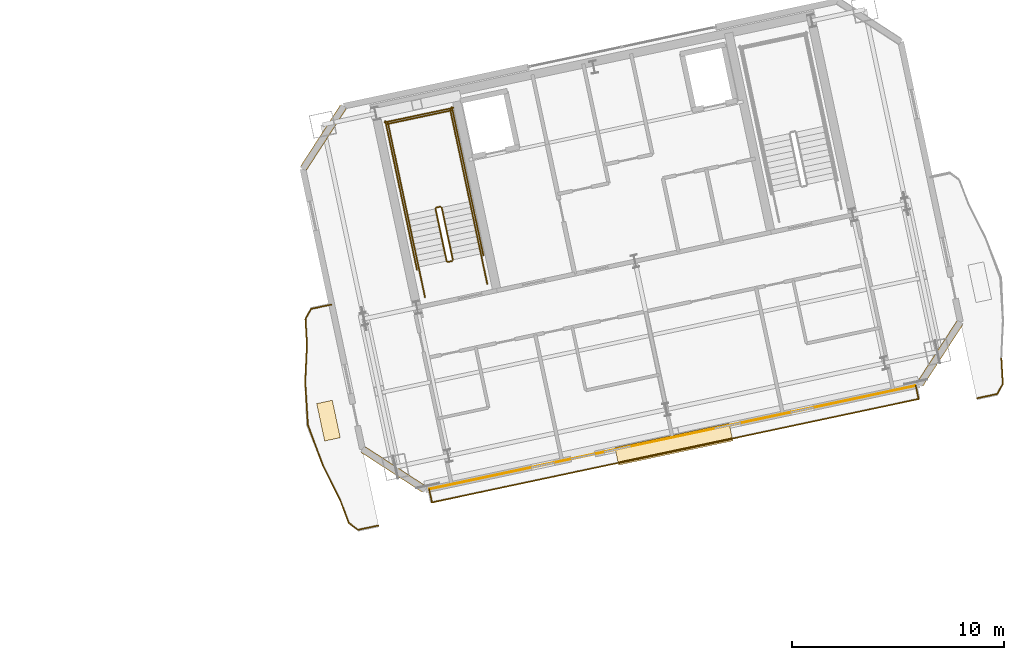
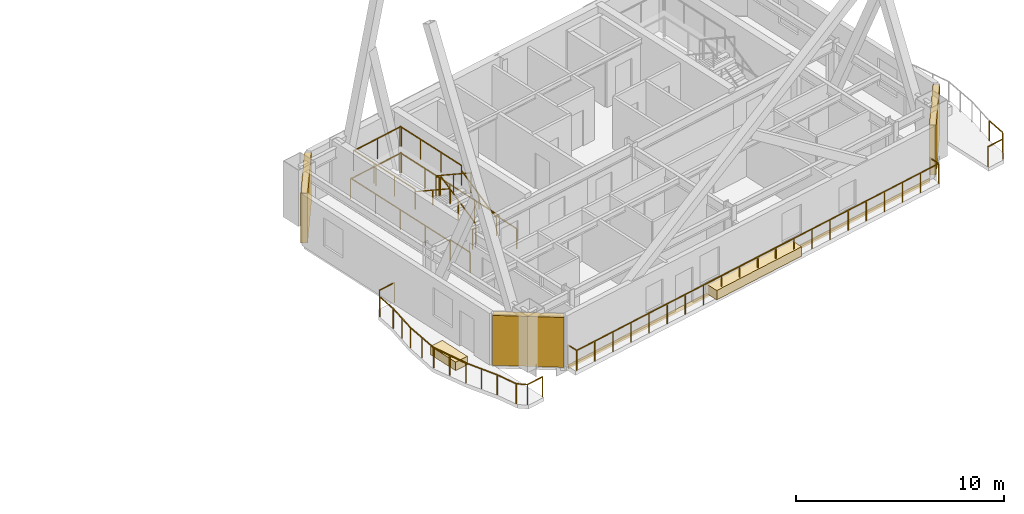
# One storey, part 18 of 19: 30 railings, 3 coverings, 3 shading devices.
"""IFC4 building model written with IfcOpenShell, lengths in metres."""

from ifc_helpers import new_model, si_unit, direction, frame, origin, origin_2d, place, context, subcontext, project, spatial, rectangle, extrude, material, layer, layer_set, type_object, element, save


model = new_model("IFC4")

# Units and contexts
model_context = context("Model", 3, precision=1e-05, world=origin(), true_north=direction((0.0, 1.0)))
body_context = subcontext(model_context, "Body", "Model", "MODEL_VIEW")
ifc_project = project(units=[si_unit("LENGTHUNIT", "METRE"), si_unit("AREAUNIT", "SQUARE_METRE"), si_unit("VOLUMEUNIT", "CUBIC_METRE"), si_unit("PLANEANGLEUNIT", "RADIAN"), si_unit("MASSUNIT", "GRAM", prefix="KILO")], contexts=[model_context])

# Site, building, storey
site_placement = place(None, origin())
site = spatial("IfcSite", under=ifc_project, at=site_placement, CompositionType="ELEMENT")
building_placement = place(site_placement, origin())
building = spatial("IfcBuilding", under=site, at=building_placement, Name="Haevon Station Towers", CompositionType="ELEMENT")
storey_placement = place(building_placement, frame((0.0, 0.0, 218.699951171875)))
storey = spatial("IfcBuildingStorey", under=building, at=storey_placement, Name="L60", CompositionType="ELEMENT", Elevation=218.699951171875)

# Covering
ifc_material_1 = material(Name="Anodised aluminium 6063-T6", Category="aluminium")
ifc_layer_1 = layer(ifc_material_1, 0.0400390625)
ifc_layer_set_1 = layer_set([ifc_layer_1], Name="Anodised aluminium 6063-T6")
covering_type_1 = type_object("IfcCoveringType", Name="COV-CLAD40", PredefinedType="CLADDING", material=ifc_layer_set_1)
covering_1_placement = place(storey_placement, frame((110.7880859375, 31.321044921875, -0.23974609375), z_axis=(0.0, 0.0, 1.0), x_axis=(0.978147600734, 0.207911690818, 0.0)))
element("IfcCovering", 1, at=covering_1_placement, inside=storey, type_object=covering_type_1, Name="Tower 2 L60 Spandrel Fascia Cladding", PredefinedType="CLADDING", context=body_context, shape_type="SweptSolid", body=[
    extrude(rectangle(XDim=23.39990234375, YDim=0.0400390625, at=origin_2d()), origin(), (0.0, 0.0, 1.0), 0.239990234375),
])

# Railings
ifc_material_2 = material(Name="Steel S355", Category="steel")
railing_type_1 = type_object("IfcRailingType", Name="GRD-EXT1200", PredefinedType="GUARDRAIL", material=ifc_material_2)
railing_1_placement = place(storey_placement, frame((99.456787109375, 28.26025390625, 0.0)))
element("IfcRailing", 2, at=railing_1_placement, inside=storey, type_object=railing_type_1, Name="L60 Perimeter Guardrail 1", PredefinedType="GUARDRAIL", context=body_context, shape_type="SweptSolid", body=[
    extrude(rectangle(XDim=0.048095703125, YDim=0.048095703125, at=origin_2d()), frame((0.0, 0.0, 1.17578125), z_axis=(0.978146778484, 0.207915559163, 0.0), x_axis=(-0.207915559163, 0.978146778484, 0.0)), (0.0, 0.0, 1.0), 23.43994140625),
    extrude(rectangle(XDim=0.0419921875, YDim=0.0419921875, at=origin_2d()), origin(), (0.0, 0.0, 1.0), 1.15185546875),
    extrude(rectangle(XDim=0.0419921875, YDim=0.0419921875, at=origin_2d()), frame((1.146484375, 0.24365234375, 0.0)), (0.0, 0.0, 1.0), 1.15185546875),
    extrude(rectangle(XDim=0.0419921875, YDim=0.0419921875, at=origin_2d()), frame((2.292724609375, 0.4873046875, 0.0)), (0.0, 0.0, 1.0), 1.15185546875),
    extrude(rectangle(XDim=0.0419921875, YDim=0.0419921875, at=origin_2d()), frame((3.439208984375, 0.73095703125, 0.0)), (0.0, 0.0, 1.0), 1.15185546875),
    extrude(rectangle(XDim=0.0419921875, YDim=0.0419921875, at=origin_2d()), frame((4.58544921875, 0.974609375, 0.0)), (0.0, 0.0, 1.0), 1.15185546875),
    extrude(rectangle(XDim=0.0419921875, YDim=0.0419921875, at=origin_2d()), frame((5.73193359375, 1.21826171875, 0.0)), (0.0, 0.0, 1.0), 1.15185546875),
    extrude(rectangle(XDim=0.0419921875, YDim=0.0419921875, at=origin_2d()), frame((6.87841796875, 1.462158203125, 0.0)), (0.0, 0.0, 1.0), 1.15185546875),
    extrude(rectangle(XDim=0.0419921875, YDim=0.0419921875, at=origin_2d()), frame((8.024658203125, 1.705810546875, 0.0)), (0.0, 0.0, 1.0), 1.15185546875),
    extrude(rectangle(XDim=0.0419921875, YDim=0.0419921875, at=origin_2d()), frame((9.171142578125, 1.949462890625, 0.0)), (0.0, 0.0, 1.0), 1.15185546875),
    extrude(rectangle(XDim=0.0419921875, YDim=0.0419921875, at=origin_2d()), frame((10.3173828125, 2.193115234375, 0.0)), (0.0, 0.0, 1.0), 1.15185546875),
    extrude(rectangle(XDim=0.0419921875, YDim=0.0419921875, at=origin_2d()), frame((11.4638671875, 2.436767578125, 0.0)), (0.0, 0.0, 1.0), 1.15185546875),
    extrude(rectangle(XDim=0.0419921875, YDim=0.0419921875, at=origin_2d()), frame((12.6103515625, 2.680419921875, 0.0)), (0.0, 0.0, 1.0), 1.15185546875),
    extrude(rectangle(XDim=0.0419921875, YDim=0.0419921875, at=origin_2d()), frame((13.756591796875, 2.924072265625, 0.0)), (0.0, 0.0, 1.0), 1.15185546875),
    extrude(rectangle(XDim=0.0419921875, YDim=0.0419921875, at=origin_2d()), frame((14.903076171875, 3.167724609375, 0.0)), (0.0, 0.0, 1.0), 1.15185546875),
    extrude(rectangle(XDim=0.0419921875, YDim=0.0419921875, at=origin_2d()), frame((16.04931640625, 3.411376953125, 0.0)), (0.0, 0.0, 1.0), 1.15185546875),
    extrude(rectangle(XDim=0.0419921875, YDim=0.0419921875, at=origin_2d()), frame((17.19580078125, 3.6552734375, 0.0)), (0.0, 0.0, 1.0), 1.15185546875),
    extrude(rectangle(XDim=0.0419921875, YDim=0.0419921875, at=origin_2d()), frame((18.34228515625, 3.89892578125, 0.0)), (0.0, 0.0, 1.0), 1.15185546875),
    extrude(rectangle(XDim=0.0419921875, YDim=0.0419921875, at=origin_2d()), frame((19.488525390625, 4.142578125, 0.0)), (0.0, 0.0, 1.0), 1.15185546875),
    extrude(rectangle(XDim=0.0419921875, YDim=0.0419921875, at=origin_2d()), frame((20.635009765625, 4.38623046875, 0.0)), (0.0, 0.0, 1.0), 1.15185546875),
    extrude(rectangle(XDim=0.0419921875, YDim=0.0419921875, at=origin_2d()), frame((21.78125, 4.6298828125, 0.0)), (0.0, 0.0, 1.0), 1.15185546875),
    extrude(rectangle(XDim=0.0419921875, YDim=0.0419921875, at=origin_2d()), frame((22.927734375, 4.87353515625, 0.0)), (0.0, 0.0, 1.0), 1.15185546875),
])
railing_2_placement = place(storey_placement, frame((122.384521484375, 33.1337890625, 0.0)))
element("IfcRailing", 3, at=railing_2_placement, inside=storey, type_object=railing_type_1, Name="L60 Perimeter Guardrail 2", PredefinedType="GUARDRAIL", context=body_context, shape_type="SweptSolid", body=[
    extrude(rectangle(XDim=0.048095703125, YDim=0.048095703125, at=origin_2d()), frame((0.0, 0.0, 1.17578125), z_axis=(-0.207863385301, 0.978157867142, 0.0), x_axis=(-0.978157867142, -0.207863385301, 0.0)), (0.0, 0.0, 1.0), 0.630615234375),
    extrude(rectangle(XDim=0.0419921875, YDim=0.0419921875, at=origin_2d()), origin(), (0.0, 0.0, 1.0), 1.15185546875),
    extrude(rectangle(XDim=0.0419921875, YDim=0.0419921875, at=origin_2d()), frame((-0.131103515625, 0.616943359375, 0.0)), (0.0, 0.0, 1.0), 1.15185546875),
])
railing_3_placement = place(storey_placement, frame((99.32568359375, 28.877197265625, 0.0)))
element("IfcRailing", 4, at=railing_3_placement, inside=storey, type_object=railing_type_1, Name="L60 Perimeter Guardrail 3", PredefinedType="GUARDRAIL", context=body_context, shape_type="SweptSolid", body=[
    extrude(rectangle(XDim=0.048095703125, YDim=0.048095703125, at=origin_2d()), frame((0.0, 0.0, 1.17578125), z_axis=(0.207863385301, -0.978157867142, 0.0), x_axis=(0.978157867142, 0.207863385301, 0.0)), (0.0, 0.0, 1.0), 0.630615234375),
    extrude(rectangle(XDim=0.0419921875, YDim=0.0419921875, at=origin_2d()), origin(), (0.0, 0.0, 1.0), 1.15185546875),
    extrude(rectangle(XDim=0.0419921875, YDim=0.0419921875, at=origin_2d()), frame((0.131103515625, -0.616943359375, 0.0)), (0.0, 0.0, 1.0), 1.15185546875),
])
railing_4_placement = place(storey_placement, frame((94.71142578125, 37.58251953125, 0.0)))
element("IfcRailing", 5, at=railing_4_placement, inside=storey, type_object=railing_type_1, Name="L60 Perimeter Guardrail 1", PredefinedType="GUARDRAIL", context=body_context, shape_type="SweptSolid", body=[
    extrude(rectangle(XDim=0.048095703125, YDim=0.048095703125, at=origin_2d()), frame((0.0, 0.0, 1.17578125), z_axis=(-0.977706975704, -0.209973973767, 0.0), x_axis=(0.209973973767, -0.977706975704, 0.0)), (0.0, 0.0, 1.0), 0.974365234375),
    extrude(rectangle(XDim=0.0419921875, YDim=0.0419921875, at=origin_2d()), origin(), (0.0, 0.0, 1.0), 1.15185546875),
    extrude(rectangle(XDim=0.0419921875, YDim=0.0419921875, at=origin_2d()), frame((-0.95263671875, -0.20458984375, 0.0)), (0.0, 0.0, 1.0), 1.15185546875),
])
railing_5_placement = place(storey_placement, frame((93.7587890625, 37.3779296875, 0.0)))
element("IfcRailing", 6, at=railing_5_placement, inside=storey, type_object=railing_type_1, Name="L60 Perimeter Guardrail 2", PredefinedType="GUARDRAIL", context=body_context, shape_type="SweptSolid", body=[
    extrude(rectangle(XDim=0.048095703125, YDim=0.048095703125, at=origin_2d()), frame((0.0, 0.0, 1.17578125), z_axis=(-0.480899548863, -0.876775697601, 0.0), x_axis=(0.876775697601, -0.480899548863, 0.0)), (0.0, 0.0, 1.0), 0.542724609375),
    extrude(rectangle(XDim=0.0419921875, YDim=0.0419921875, at=origin_2d()), origin(), (0.0, 0.0, 1.0), 1.15185546875),
    extrude(rectangle(XDim=0.0419921875, YDim=0.0419921875, at=origin_2d()), frame((-0.260986328125, -0.475830078125, 0.0)), (0.0, 0.0, 1.0), 1.15185546875),
])
railing_6_placement = place(storey_placement, frame((93.497802734375, 36.902099609375, 0.0)))
element("IfcRailing", 7, at=railing_6_placement, inside=storey, type_object=railing_type_1, Name="L60 Perimeter Guardrail 3", PredefinedType="GUARDRAIL", context=body_context, shape_type="SweptSolid", body=[
    extrude(rectangle(XDim=0.048095703125, YDim=0.048095703125, at=origin_2d()), frame((0.0, 0.0, 1.17578125), z_axis=(0.056486171086, -0.998403381643, 0.0), x_axis=(0.998403381643, 0.056486171086, 0.0)), (0.0, 0.0, 1.0), 1.184326171875),
    extrude(rectangle(XDim=0.0419921875, YDim=0.0419921875, at=origin_2d()), origin(), (0.0, 0.0, 1.0), 1.15185546875),
    extrude(rectangle(XDim=0.0419921875, YDim=0.0419921875, at=origin_2d()), frame((0.06689453125, -1.182373046875, 0.0)), (0.0, 0.0, 1.0), 1.15185546875),
])
railing_7_placement = place(storey_placement, frame((93.564697265625, 35.7197265625, 0.0)))
element("IfcRailing", 8, at=railing_7_placement, inside=storey, type_object=railing_type_1, Name="L60 Perimeter Guardrail 4", PredefinedType="GUARDRAIL", context=body_context, shape_type="SweptSolid", body=[
    extrude(rectangle(XDim=0.048095703125, YDim=0.048095703125, at=origin_2d()), frame((0.0, 0.0, 1.17578125), z_axis=(-0.044352629621, -0.999015937934, 0.0), x_axis=(0.999015937934, -0.044352629621, 0.0)), (0.0, 0.0, 1.0), 1.805419921875),
    extrude(rectangle(XDim=0.0419921875, YDim=0.0419921875, at=origin_2d()), origin(), (0.0, 0.0, 1.0), 1.15185546875),
    extrude(rectangle(XDim=0.0419921875, YDim=0.0419921875, at=origin_2d()), frame((-0.0400390625, -0.90185546875, 0.0)), (0.0, 0.0, 1.0), 1.15185546875),
    extrude(rectangle(XDim=0.0419921875, YDim=0.0419921875, at=origin_2d()), frame((-0.080078125, -1.8037109375, 0.0)), (0.0, 0.0, 1.0), 1.15185546875),
])
railing_8_placement = place(storey_placement, frame((93.484619140625, 33.916015625, 0.0)))
element("IfcRailing", 9, at=railing_8_placement, inside=storey, type_object=railing_type_1, Name="L60 Perimeter Guardrail 5", PredefinedType="GUARDRAIL", context=body_context, shape_type="SweptSolid", body=[
    extrude(rectangle(XDim=0.048095703125, YDim=0.048095703125, at=origin_2d()), frame((0.0, 0.0, 1.17578125), z_axis=(0.063329948966, -0.997992644043, 0.0), x_axis=(0.997992644043, 0.063329948966, 0.0)), (0.0, 0.0, 1.0), 2.012451171875),
    extrude(rectangle(XDim=0.0419921875, YDim=0.0419921875, at=origin_2d()), origin(), (0.0, 0.0, 1.0), 1.15185546875),
    extrude(rectangle(XDim=0.0419921875, YDim=0.0419921875, at=origin_2d()), frame((0.063720703125, -1.004150390625, 0.0)), (0.0, 0.0, 1.0), 1.15185546875),
    extrude(rectangle(XDim=0.0419921875, YDim=0.0419921875, at=origin_2d()), frame((0.12744140625, -2.00830078125, 0.0)), (0.0, 0.0, 1.0), 1.15185546875),
])
railing_9_placement = place(storey_placement, frame((93.612060546875, 31.90771484375, 0.0)))
element("IfcRailing", 10, at=railing_9_placement, inside=storey, type_object=railing_type_1, Name="L60 Perimeter Guardrail 6", PredefinedType="GUARDRAIL", context=body_context, shape_type="SweptSolid", body=[
    extrude(rectangle(XDim=0.048095703125, YDim=0.048095703125, at=origin_2d()), frame((0.0, 0.0, 1.17578125), z_axis=(0.348076866175, -0.937465996841, 0.0), x_axis=(0.937465996841, 0.348076866175, 0.0)), (0.0, 0.0, 1.0), 2.01220703125),
    extrude(rectangle(XDim=0.0419921875, YDim=0.0419921875, at=origin_2d()), origin(), (0.0, 0.0, 1.0), 1.15185546875),
    extrude(rectangle(XDim=0.0419921875, YDim=0.0419921875, at=origin_2d()), frame((0.35009765625, -0.943359375, 0.0)), (0.0, 0.0, 1.0), 1.15185546875),
    extrude(rectangle(XDim=0.0419921875, YDim=0.0419921875, at=origin_2d()), frame((0.700439453125, -1.886474609375, 0.0)), (0.0, 0.0, 1.0), 1.15185546875),
])
railing_10_placement = place(storey_placement, frame((94.3125, 30.021240234375, 0.0)))
element("IfcRailing", 11, at=railing_10_placement, inside=storey, type_object=railing_type_1, Name="L60 Perimeter Guardrail 7", PredefinedType="GUARDRAIL", context=body_context, shape_type="SweptSolid", body=[
    extrude(rectangle(XDim=0.048095703125, YDim=0.048095703125, at=origin_2d()), frame((0.0, 0.0, 1.17578125), z_axis=(0.446889047543, -0.894589391389, 0.0), x_axis=(0.894589391389, 0.446889047543, 0.0)), (0.0, 0.0, 1.0), 1.8056640625),
    extrude(rectangle(XDim=0.0419921875, YDim=0.0419921875, at=origin_2d()), origin(), (0.0, 0.0, 1.0), 1.15185546875),
    extrude(rectangle(XDim=0.0419921875, YDim=0.0419921875, at=origin_2d()), frame((0.4033203125, -0.8076171875, 0.0)), (0.0, 0.0, 1.0), 1.15185546875),
    extrude(rectangle(XDim=0.0419921875, YDim=0.0419921875, at=origin_2d()), frame((0.806884765625, -1.615234375, 0.0)), (0.0, 0.0, 1.0), 1.15185546875),
])
railing_11_placement = place(storey_placement, frame((95.119384765625, 28.406005859375, 0.0)))
element("IfcRailing", 12, at=railing_11_placement, inside=storey, type_object=railing_type_1, Name="L60 Perimeter Guardrail 8", PredefinedType="GUARDRAIL", context=body_context, shape_type="SweptSolid", body=[
    extrude(rectangle(XDim=0.048095703125, YDim=0.048095703125, at=origin_2d()), frame((0.0, 0.0, 1.17578125), z_axis=(0.354442889669, -0.935077664135, 0.0), x_axis=(0.935077664135, 0.354442889669, 0.0)), (0.0, 0.0, 1.0), 1.18408203125),
    extrude(rectangle(XDim=0.0419921875, YDim=0.0419921875, at=origin_2d()), origin(), (0.0, 0.0, 1.0), 1.15185546875),
    extrude(rectangle(XDim=0.0419921875, YDim=0.0419921875, at=origin_2d()), frame((0.419677734375, -1.107177734375, 0.0)), (0.0, 0.0, 1.0), 1.15185546875),
])
railing_12_placement = place(storey_placement, frame((95.5390625, 27.298828125, 0.0)))
element("IfcRailing", 13, at=railing_12_placement, inside=storey, type_object=railing_type_1, Name="L60 Perimeter Guardrail 9", PredefinedType="GUARDRAIL", context=body_context, shape_type="SweptSolid", body=[
    extrude(rectangle(XDim=0.048095703125, YDim=0.048095703125, at=origin_2d()), frame((0.0, 0.0, 1.17578125), z_axis=(0.795823981278, -0.605528026456, 0.0), x_axis=(0.605528026456, 0.795823981278, 0.0)), (0.0, 0.0, 1.0), 0.542724609375),
    extrude(rectangle(XDim=0.0419921875, YDim=0.0419921875, at=origin_2d()), origin(), (0.0, 0.0, 1.0), 1.15185546875),
    extrude(rectangle(XDim=0.0419921875, YDim=0.0419921875, at=origin_2d()), frame((0.431884765625, -0.32861328125, 0.0)), (0.0, 0.0, 1.0), 1.15185546875),
])
railing_13_placement = place(storey_placement, frame((95.970947265625, 26.97021484375, 0.0)))
element("IfcRailing", 14, at=railing_13_placement, inside=storey, type_object=railing_type_1, Name="L60 Perimeter Guardrail 10", PredefinedType="GUARDRAIL", context=body_context, shape_type="SweptSolid", body=[
    extrude(rectangle(XDim=0.048095703125, YDim=0.048095703125, at=origin_2d()), frame((0.0, 0.0, 1.17578125), z_axis=(0.978616190776, 0.20569480098, 0.0), x_axis=(-0.20569480098, 0.978616190776, 0.0)), (0.0, 0.0, 1.0), 0.974365234375),
    extrude(rectangle(XDim=0.0419921875, YDim=0.0419921875, at=origin_2d()), origin(), (0.0, 0.0, 1.0), 1.15185546875),
    extrude(rectangle(XDim=0.0419921875, YDim=0.0419921875, at=origin_2d()), frame((0.95361328125, 0.200439453125, 0.0)), (0.0, 0.0, 1.0), 1.15185546875),
])
railing_14_placement = place(storey_placement, frame((125.14111328125, 33.16845703125, 0.0)))
element("IfcRailing", 15, at=railing_14_placement, inside=storey, type_object=railing_type_1, Name="L60 Perimeter Guardrail 1", PredefinedType="GUARDRAIL", context=body_context, shape_type="SweptSolid", body=[
    extrude(rectangle(XDim=0.048095703125, YDim=0.048095703125, at=origin_2d()), frame((0.0, 0.0, 1.17578125), z_axis=(0.977706975704, 0.209973973767, 0.0), x_axis=(-0.209973973767, 0.977706975704, 0.0)), (0.0, 0.0, 1.0), 0.974365234375),
    extrude(rectangle(XDim=0.0419921875, YDim=0.0419921875, at=origin_2d()), origin(), (0.0, 0.0, 1.0), 1.15185546875),
    extrude(rectangle(XDim=0.0419921875, YDim=0.0419921875, at=origin_2d()), frame((0.95263671875, 0.20458984375, 0.0)), (0.0, 0.0, 1.0), 1.15185546875),
])
railing_15_placement = place(storey_placement, frame((126.09375, 33.373046875, 0.0)))
element("IfcRailing", 16, at=railing_15_placement, inside=storey, type_object=railing_type_1, Name="L60 Perimeter Guardrail 2", PredefinedType="GUARDRAIL", context=body_context, shape_type="SweptSolid", body=[
    extrude(rectangle(XDim=0.048095703125, YDim=0.048095703125, at=origin_2d()), frame((0.0, 0.0, 1.17578125), z_axis=(0.480899548863, 0.876775697601, 0.0), x_axis=(-0.876775697601, 0.480899548863, 0.0)), (0.0, 0.0, 1.0), 0.542724609375),
    extrude(rectangle(XDim=0.0419921875, YDim=0.0419921875, at=origin_2d()), origin(), (0.0, 0.0, 1.0), 1.15185546875),
    extrude(rectangle(XDim=0.0419921875, YDim=0.0419921875, at=origin_2d()), frame((0.260986328125, 0.475830078125, 0.0)), (0.0, 0.0, 1.0), 1.15185546875),
])
railing_16_placement = place(storey_placement, frame((126.354736328125, 33.848876953125, 0.0)))
element("IfcRailing", 17, at=railing_16_placement, inside=storey, type_object=railing_type_1, Name="L60 Perimeter Guardrail 3", PredefinedType="GUARDRAIL", context=body_context, shape_type="SweptSolid", body=[
    extrude(rectangle(XDim=0.048095703125, YDim=0.048095703125, at=origin_2d()), frame((0.0, 0.0, 1.17578125), z_axis=(-0.056497799728, 0.998402723667, 0.0), x_axis=(-0.998402723667, -0.056497799728, 0.0)), (0.0, 0.0, 1.0), 1.18408203125),
    extrude(rectangle(XDim=0.0419921875, YDim=0.0419921875, at=origin_2d()), origin(), (0.0, 0.0, 1.0), 1.15185546875),
    extrude(rectangle(XDim=0.0419921875, YDim=0.0419921875, at=origin_2d()), frame((-0.06689453125, 1.18212890625, 0.0)), (0.0, 0.0, 1.0), 1.15185546875),
])
railing_type_2 = type_object("IfcRailingType", Name="GRD-STR1200", PredefinedType="GUARDRAIL", material=ifc_material_2)
railing_17_placement = place(storey_placement, frame((100.44140625, 39.69287109375, 0.1650390625)))
element("IfcRailing", 18, at=railing_17_placement, inside=storey, type_object=railing_type_2, Name="L60 ST3 Stair Guard 1", PredefinedType="GUARDRAIL", context=body_context, shape_type="SweptSolid", body=[
    extrude(rectangle(XDim=0.048095703125, YDim=0.048095703125, at=origin_2d()), frame((0.0, 0.0, 1.17578125), z_axis=(-0.179121265225, 0.842687928106, 0.507732831485), x_axis=(-0.978147030254, -0.207914374695, 0.0)), (0.0, 0.0, 1.0), 2.925048828125),
    extrude(rectangle(XDim=0.0419921875, YDim=0.0419921875, at=origin_2d()), origin(), (0.0, 0.0, 1.0), 1.15185546875),
    extrude(rectangle(XDim=0.0419921875, YDim=0.0419921875, at=origin_2d()), frame((-0.261962890625, 1.232421875, 0.74267578125)), (0.0, 0.0, 1.0), 1.15185546875),
    extrude(rectangle(XDim=0.0419921875, YDim=0.0419921875, at=origin_2d()), frame((-0.52392578125, 2.46484375, 1.485107421875)), (0.0, 0.0, 1.0), 1.15185546875),
])
railing_18_placement = place(storey_placement, frame((99.858154296875, 42.1962890625, 1.650146484375)))
element("IfcRailing", 19, at=railing_18_placement, inside=storey, type_object=railing_type_2, Name="L60 ST3 Stair Guard 2", PredefinedType="GUARDRAIL", context=body_context, shape_type="SweptSolid", body=[
    extrude(rectangle(XDim=0.048095703125, YDim=0.048095703125, at=origin_2d()), frame((0.0, 0.0, 1.17578125), z_axis=(-0.977962931203, -0.208778603291, 0.0), x_axis=(0.208778603291, -0.977962931203, 0.0)), (0.0, 0.0, 1.0), 0.199951171875),
    extrude(rectangle(XDim=0.0419921875, YDim=0.0419921875, at=origin_2d()), origin(), (0.0, 0.0, 1.0), 1.15185546875),
    extrude(rectangle(XDim=0.0419921875, YDim=0.0419921875, at=origin_2d()), frame((-0.195556640625, -0.041748046875, 0.0)), (0.0, 0.0, 1.0), 1.15185546875),
])
railing_19_placement = place(storey_placement, frame((101.238037109375, 42.4384765625, 1.650146484375)))
element("IfcRailing", 20, at=railing_19_placement, inside=storey, type_object=railing_type_2, Name="L60 ST3 Stair Guard 3", PredefinedType="GUARDRAIL", context=body_context, shape_type="SweptSolid", body=[
    extrude(rectangle(XDim=0.048095703125, YDim=0.048095703125, at=origin_2d()), frame((0.0, 0.0, 1.17578125), z_axis=(-0.20794048909, 0.978141479029, 0.0), x_axis=(-0.978141479029, -0.20794048909, 0.0)), (0.0, 0.0, 1.0), 4.429931640625),
    extrude(rectangle(XDim=0.0419921875, YDim=0.0419921875, at=origin_2d()), origin(), (0.0, 0.0, 1.0), 1.15185546875),
    extrude(rectangle(XDim=0.0419921875, YDim=0.0419921875, at=origin_2d()), frame((-0.30712890625, 1.4443359375, 0.0)), (0.0, 0.0, 1.0), 1.15185546875),
    extrude(rectangle(XDim=0.0419921875, YDim=0.0419921875, at=origin_2d()), frame((-0.614013671875, 2.888671875, 0.0)), (0.0, 0.0, 1.0), 1.15185546875),
    extrude(rectangle(XDim=0.0419921875, YDim=0.0419921875, at=origin_2d()), frame((-0.921142578125, 4.3330078125, 0.0)), (0.0, 0.0, 1.0), 1.15185546875),
])
railing_20_placement = place(storey_placement, frame((98.303466796875, 41.814697265625, 1.650146484375)))
element("IfcRailing", 21, at=railing_20_placement, inside=storey, type_object=railing_type_2, Name="L60 ST3 Stair Guard 4", PredefinedType="GUARDRAIL", context=body_context, shape_type="SweptSolid", body=[
    extrude(rectangle(XDim=0.048095703125, YDim=0.048095703125, at=origin_2d()), frame((0.0, 0.0, 1.17578125), z_axis=(-0.207876551949, 0.978155069071, 0.0), x_axis=(-0.978155069071, -0.207876551949, 0.0)), (0.0, 0.0, 1.0), 4.429931640625),
    extrude(rectangle(XDim=0.0419921875, YDim=0.0419921875, at=origin_2d()), origin(), (0.0, 0.0, 1.0), 1.15185546875),
    extrude(rectangle(XDim=0.0419921875, YDim=0.0419921875, at=origin_2d()), frame((-0.306884765625, 1.4443359375, 0.0)), (0.0, 0.0, 1.0), 1.15185546875),
    extrude(rectangle(XDim=0.0419921875, YDim=0.0419921875, at=origin_2d()), frame((-0.614013671875, 2.888916015625, 0.0)), (0.0, 0.0, 1.0), 1.15185546875),
    extrude(rectangle(XDim=0.0419921875, YDim=0.0419921875, at=origin_2d()), frame((-0.9208984375, 4.333251953125, 0.0)), (0.0, 0.0, 1.0), 1.15185546875),
])
railing_21_placement = place(storey_placement, frame((100.376220703125, 46.733154296875, 1.650146484375)))
element("IfcRailing", 22, at=railing_21_placement, inside=storey, type_object=railing_type_2, Name="L60 ST3 Stair Guard 5", PredefinedType="GUARDRAIL", context=body_context, shape_type="SweptSolid", body=[
    extrude(rectangle(XDim=0.048095703125, YDim=0.048095703125, at=origin_2d()), frame((0.0, 0.0, 1.17578125), z_axis=(-0.978146839882, -0.207915270313, 0.0), x_axis=(0.207915270313, -0.978146839882, 0.0)), (0.0, 0.0, 1.0), 3.099853515625),
    extrude(rectangle(XDim=0.0419921875, YDim=0.0419921875, at=origin_2d()), origin(), (0.0, 0.0, 1.0), 1.15185546875),
    extrude(rectangle(XDim=0.0419921875, YDim=0.0419921875, at=origin_2d()), frame((-1.51611328125, -0.322265625, 0.0)), (0.0, 0.0, 1.0), 1.15185546875),
    extrude(rectangle(XDim=0.0419921875, YDim=0.0419921875, at=origin_2d()), frame((-3.0322265625, -0.64453125, 0.0)), (0.0, 0.0, 1.0), 1.15185546875),
])
railing_22_placement = place(storey_placement, frame((99.6240234375, 42.09521484375, 1.81494140625)))
element("IfcRailing", 23, at=railing_22_placement, inside=storey, type_object=railing_type_2, Name="L60 ST3 Stair Guard 6", PredefinedType="GUARDRAIL", context=body_context, shape_type="SweptSolid", body=[
    extrude(rectangle(XDim=0.048095703125, YDim=0.048095703125, at=origin_2d()), frame((0.0, 0.0, 1.17578125), z_axis=(0.179121265225, -0.842687928106, 0.507732831485), x_axis=(0.978147030254, 0.207914374695, 0.0)), (0.0, 0.0, 1.0), 2.925048828125),
    extrude(rectangle(XDim=0.0419921875, YDim=0.0419921875, at=origin_2d()), origin(), (0.0, 0.0, 1.0), 1.15185546875),
    extrude(rectangle(XDim=0.0419921875, YDim=0.0419921875, at=origin_2d()), frame((0.261962890625, -1.232421875, 0.74267578125)), (0.0, 0.0, 1.0), 1.15185546875),
    extrude(rectangle(XDim=0.0419921875, YDim=0.0419921875, at=origin_2d()), frame((0.52392578125, -2.46484375, 1.485107421875)), (0.0, 0.0, 1.0), 1.15185546875),
])
railing_23_placement = place(storey_placement, frame((100.40283203125, 39.633544921875, 0.0)))
element("IfcRailing", 24, at=railing_23_placement, inside=storey, type_object=railing_type_2, Name="L60 ST3 Stair Guard 7", PredefinedType="GUARDRAIL", context=body_context, shape_type="SweptSolid", body=[
    extrude(rectangle(XDim=0.048095703125, YDim=0.048095703125, at=origin_2d()), frame((0.0, 0.0, 1.17578125), z_axis=(-0.977962931203, -0.208778603291, 0.0), x_axis=(0.208778603291, -0.977962931203, 0.0)), (0.0, 0.0, 1.0), 0.199951171875),
    extrude(rectangle(XDim=0.0419921875, YDim=0.0419921875, at=origin_2d()), origin(), (0.0, 0.0, 1.0), 1.15185546875),
    extrude(rectangle(XDim=0.0419921875, YDim=0.0419921875, at=origin_2d()), frame((-0.195556640625, -0.041748046875, 0.0)), (0.0, 0.0, 1.0), 1.15185546875),
])
for number, where, name in (
    (25, (102.0634765625, 38.55517578125, 0.0), "L60 ST3 Stair Guard 8"),
    (26, (99.12890625, 37.931396484375, 0.0), "L60 ST3 Stair Guard 9"),
):
    element("IfcRailing", number, at=place(storey_placement, frame(where)), inside=storey, type_object=railing_type_2, Name=name, PredefinedType="GUARDRAIL", context=body_context, shape_type="SweptSolid", body=[
        extrude(rectangle(XDim=0.048095703125, YDim=0.048095703125, at=origin_2d()), frame((0.0, 0.0, 1.17578125), z_axis=(-0.207953405961, 0.978138732977, 0.0), x_axis=(-0.978138732977, -0.207953405961, 0.0)), (0.0, 0.0, 1.0), 1.449951171875),
        extrude(rectangle(XDim=0.0419921875, YDim=0.0419921875, at=origin_2d()), origin(), (0.0, 0.0, 1.0), 1.15185546875),
        extrude(rectangle(XDim=0.0419921875, YDim=0.0419921875, at=origin_2d()), frame((-0.301513671875, 1.418212890625, 0.0)), (0.0, 0.0, 1.0), 1.15185546875),
    ])
railing_24_placement = place(storey_placement, frame((101.88037109375, 39.896484375, 0.0)))
element("IfcRailing", 27, at=railing_24_placement, inside=storey, type_object=railing_type_2, Name="L60 ST3 Stair Guard 10", PredefinedType="GUARDRAIL", context=body_context, shape_type="SweptSolid", body=[
    extrude(rectangle(XDim=0.048095703125, YDim=0.048095703125, at=origin_2d()), frame((0.0, 0.0, 1.17578125), z_axis=(-0.207882442208, 0.978153817261, 0.0), x_axis=(-0.978153817261, -0.207882442208, 0.0)), (0.0, 0.0, 1.0), 7.14990234375),
    extrude(rectangle(XDim=0.0419921875, YDim=0.0419921875, at=origin_2d()), origin(), (0.0, 0.0, 1.0), 1.15185546875),
    extrude(rectangle(XDim=0.0419921875, YDim=0.0419921875, at=origin_2d()), frame((-0.37158203125, 1.74853515625, 0.0)), (0.0, 0.0, 1.0), 1.15185546875),
    extrude(rectangle(XDim=0.0419921875, YDim=0.0419921875, at=origin_2d()), frame((-0.7431640625, 3.496826171875, 0.0)), (0.0, 0.0, 1.0), 1.15185546875),
    extrude(rectangle(XDim=0.0419921875, YDim=0.0419921875, at=origin_2d()), frame((-1.11474609375, 5.2451171875, 0.0)), (0.0, 0.0, 1.0), 1.15185546875),
    extrude(rectangle(XDim=0.0419921875, YDim=0.0419921875, at=origin_2d()), frame((-1.486328125, 6.99365234375, 0.0)), (0.0, 0.0, 1.0), 1.15185546875),
])
railing_25_placement = place(storey_placement, frame((98.75048828125, 39.231201171875, 0.0)))
element("IfcRailing", 28, at=railing_25_placement, inside=storey, type_object=railing_type_2, Name="L60 ST3 Stair Guard 11", PredefinedType="GUARDRAIL", context=body_context, shape_type="SweptSolid", body=[
    extrude(rectangle(XDim=0.048095703125, YDim=0.048095703125, at=origin_2d()), frame((0.0, 0.0, 1.17578125), z_axis=(-0.207915112487, 0.978146873429, 0.0), x_axis=(-0.978146873429, -0.207915112487, 0.0)), (0.0, 0.0, 1.0), 7.14990234375),
    extrude(rectangle(XDim=0.0419921875, YDim=0.0419921875, at=origin_2d()), origin(), (0.0, 0.0, 1.0), 1.15185546875),
    extrude(rectangle(XDim=0.0419921875, YDim=0.0419921875, at=origin_2d()), frame((-0.37158203125, 1.74853515625, 0.0)), (0.0, 0.0, 1.0), 1.15185546875),
    extrude(rectangle(XDim=0.0419921875, YDim=0.0419921875, at=origin_2d()), frame((-0.7431640625, 3.496826171875, 0.0)), (0.0, 0.0, 1.0), 1.15185546875),
    extrude(rectangle(XDim=0.0419921875, YDim=0.0419921875, at=origin_2d()), frame((-1.114990234375, 5.2451171875, 0.0)), (0.0, 0.0, 1.0), 1.15185546875),
    extrude(rectangle(XDim=0.0419921875, YDim=0.0419921875, at=origin_2d()), frame((-1.486572265625, 6.99365234375, 0.0)), (0.0, 0.0, 1.0), 1.15185546875),
])
railing_26_placement = place(storey_placement, frame((100.453125, 46.8515625, 0.0)))
element("IfcRailing", 29, at=railing_26_placement, inside=storey, type_object=railing_type_2, Name="L60 ST3 Stair Guard 12", PredefinedType="GUARDRAIL", context=body_context, shape_type="SweptSolid", body=[
    extrude(rectangle(XDim=0.048095703125, YDim=0.048095703125, at=origin_2d()), frame((0.0, 0.0, 1.17578125), z_axis=(-0.978150764849, -0.207896804268, 0.0), x_axis=(0.207896804268, -0.978150764849, 0.0)), (0.0, 0.0, 1.0), 3.2998046875),
    extrude(rectangle(XDim=0.0419921875, YDim=0.0419921875, at=origin_2d()), origin(), (0.0, 0.0, 1.0), 1.15185546875),
    extrude(rectangle(XDim=0.0419921875, YDim=0.0419921875, at=origin_2d()), frame((-1.61376953125, -0.343017578125, 0.0)), (0.0, 0.0, 1.0), 1.15185546875),
    extrude(rectangle(XDim=0.0419921875, YDim=0.0419921875, at=origin_2d()), frame((-3.227783203125, -0.68603515625, 0.0)), (0.0, 0.0, 1.0), 1.15185546875),
])
railing_type_3 = type_object("IfcRailingType", Name="HND-STR900", PredefinedType="HANDRAIL", material=ifc_material_2)
railing_27_placement = place(storey_placement, frame((101.761962890625, 39.973388671875, 0.1650390625)))
element("IfcRailing", 30, at=railing_27_placement, inside=storey, type_object=railing_type_3, Name="L60 ST3 Stair Handrail 1", PredefinedType="HANDRAIL", context=body_context, shape_type="SweptSolid", body=[
    extrude(rectangle(XDim=0.048095703125, YDim=0.048095703125, at=origin_2d()), frame((0.0, 0.0, 0.8759765625), z_axis=(-0.179108667068, 0.842712120868, 0.50769712105), x_axis=(-0.978151217824, -0.207894673017, 0.0)), (0.0, 0.0, 1.0), 2.92529296875),
    extrude(rectangle(XDim=0.0419921875, YDim=0.0419921875, at=origin_2d()), origin(), (0.0, 0.0, 1.0), 0.851806640625),
    extrude(rectangle(XDim=0.0419921875, YDim=0.0419921875, at=origin_2d()), frame((-0.261962890625, 1.232421875, 0.74267578125)), (0.0, 0.0, 1.0), 0.851806640625),
    extrude(rectangle(XDim=0.0419921875, YDim=0.0419921875, at=origin_2d()), frame((-0.52392578125, 2.465087890625, 1.485107421875)), (0.0, 0.0, 1.0), 0.851806640625),
])
railing_28_placement = place(storey_placement, frame((98.303466796875, 41.814697265625, 1.81494140625)))
element("IfcRailing", 31, at=railing_28_placement, inside=storey, type_object=railing_type_3, Name="L60 ST3 Stair Handrail 2", PredefinedType="HANDRAIL", context=body_context, shape_type="SweptSolid", body=[
    extrude(rectangle(XDim=0.048095703125, YDim=0.048095703125, at=origin_2d()), frame((0.0, 0.0, 0.8759765625), z_axis=(0.179108667068, -0.842712120868, 0.50769712105), x_axis=(0.978151217824, 0.207894673017, 0.0)), (0.0, 0.0, 1.0), 2.92529296875),
    extrude(rectangle(XDim=0.0419921875, YDim=0.0419921875, at=origin_2d()), origin(), (0.0, 0.0, 1.0), 0.851806640625),
    extrude(rectangle(XDim=0.0419921875, YDim=0.0419921875, at=origin_2d()), frame((0.261962890625, -1.232421875, 0.74267578125)), (0.0, 0.0, 1.0), 0.851806640625),
    extrude(rectangle(XDim=0.0419921875, YDim=0.0419921875, at=origin_2d()), frame((0.52392578125, -2.465087890625, 1.485107421875)), (0.0, 0.0, 1.0), 0.851806640625),
])

# Coverings
ifc_material_3 = material(Name="Architectural planter GRC", Category="concrete")
ifc_layer_2 = layer(ifc_material_3, 0.550048828125)
ifc_layer_set_2 = layer_set([ifc_layer_2], Name="Architectural planter GRC")
covering_type_2 = type_object("IfcCoveringType", Name="PLN-GRC550", PredefinedType="MOLDING", material=ifc_layer_set_2)
covering_2_placement = place(storey_placement, frame((110.855224609375, 31.005615234375, 0.0), z_axis=(0.0, 0.0, 1.0), x_axis=(0.978147600734, 0.207911690818, 0.0)))
element("IfcCovering", 32, at=covering_2_placement, inside=storey, type_object=covering_type_2, Name="Tower 2 L60 Sky-Garden GRC PLANTER", PredefinedType="MOLDING", context=body_context, shape_type="SweptSolid", body=[
    extrude(rectangle(XDim=5.5, YDim=0.85009765625, at=origin_2d()), origin(), (0.0, 0.0, 1.0), 0.550048828125),
])
covering_3_placement = place(storey_placement, frame((94.58154296875, 32.11376953125, 0.0), z_axis=(0.0, 0.0, 1.0), x_axis=(0.978147600734, 0.207911690818, 0.0)))
element("IfcCovering", 33, at=covering_3_placement, inside=storey, type_object=covering_type_2, Name="Tower 2 L60 Scalloped Balcony PLANTER", PredefinedType="MOLDING", context=body_context, shape_type="SweptSolid", body=[
    extrude(rectangle(XDim=0.75, YDim=1.800048828125, at=origin_2d()), origin(), (0.0, 0.0, 1.0), 0.5),
])

# Shading devices
ifc_layer_3 = layer(ifc_material_1, 0.139892578125)
ifc_layer_set_3 = layer_set([ifc_layer_3], Name="Anodised aluminium 6063-T6")
shading_device_type = type_object("IfcShadingDeviceType", Name="SHD-WIND-BAFFLE", PredefinedType="SHUTTER", material=ifc_layer_set_3)
for number, where, z_axis, x_axis, name in (
    (34, (97.66552734375, 29.8095703125, 0.05029296875), (0.0, 0.0, 1.0), (-0.838670519647, 0.544639109388, 0.0), "Tower 2 L60 Wind-Corner Aerofoil Baffle SWC"),
    (35, (94.341064453125, 45.4501953125, 0.05029296875), (0.0, 0.0, 1.0), (0.544638910449, 0.838670648839, 0.0), "Tower 2 L60 Wind-Corner Aerofoil Baffle NWC"),
    (36, (123.390869140625, 35.27783203125, 0.05029296875), (0.0, 0.0, 1.0), (-0.544639109388, -0.838670519647, 0.0), "Tower 2 L60 Wind-Corner Aerofoil Baffle SEC"),
):
    element("IfcShadingDevice", number, at=place(storey_placement, frame(where, z_axis=z_axis, x_axis=x_axis)), inside=storey, type_object=shading_device_type, Name=name, PredefinedType="SHUTTER", context=body_context, shape_type="SweptSolid", body=[
        extrude(rectangle(XDim=3.435546875, YDim=0.340087890625, at=origin_2d()), origin(), (0.0, 0.0, 1.0), 2.929931640625),
    ])

save(model, "model.ifc")
